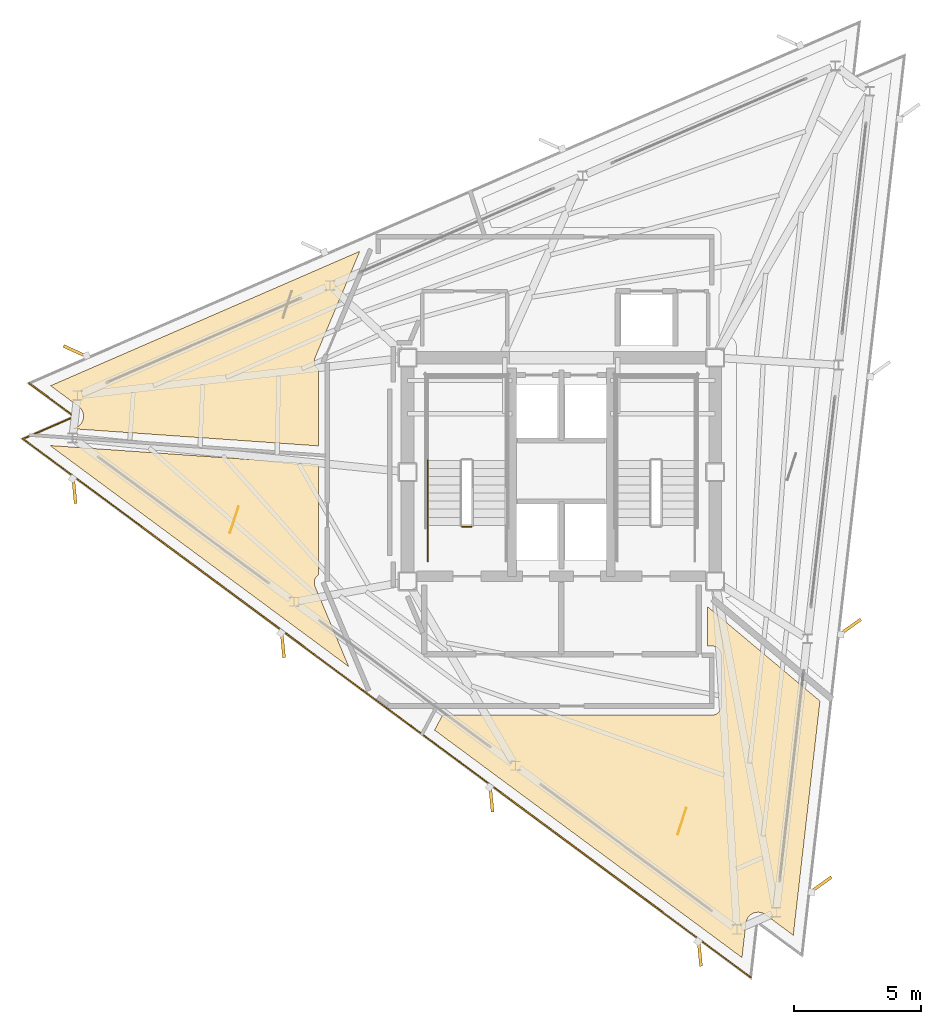
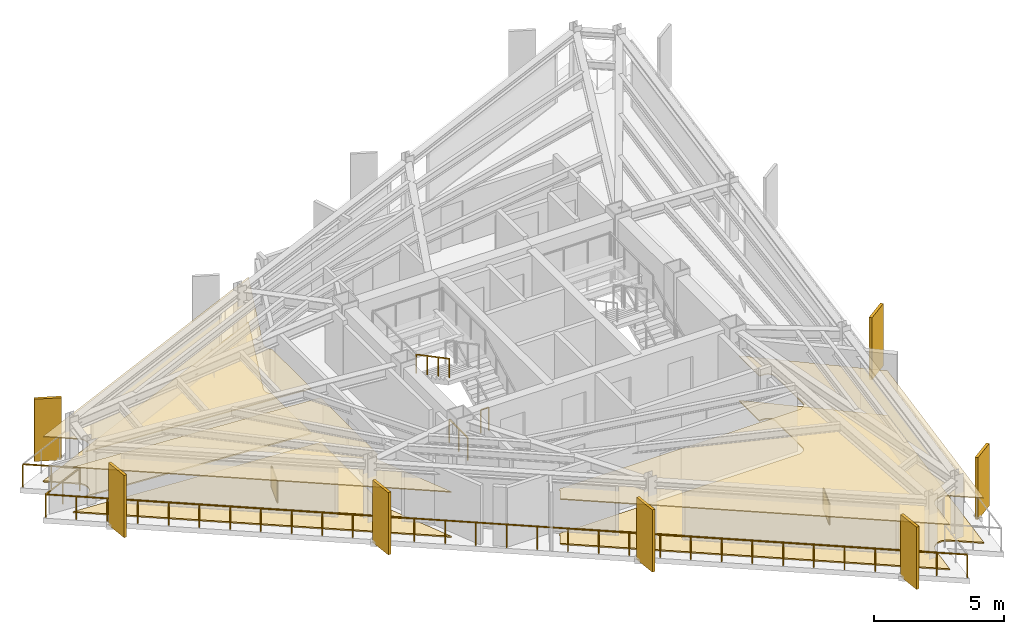
# One storey, part 7 of 9: 8 coverings, 7 shading devices, 4 railings.
"""IFC4 building model written with IfcOpenShell, lengths in metres."""

from ifc_helpers import new_model, si_unit, direction, frame, origin, origin_2d, place, context, subcontext, project, spatial, polyline, rectangle, outline, extrude, material, layer, layer_set, type_object, element, save


model = new_model("IFC4")

# Units and contexts
model_context = context("Model", 3, precision=1e-05, world=origin(), true_north=direction((0.0, 1.0)))
body_context = subcontext(model_context, "Body", "Model", "MODEL_VIEW")
ifc_project = project(units=[si_unit("LENGTHUNIT", "METRE"), si_unit("AREAUNIT", "SQUARE_METRE"), si_unit("VOLUMEUNIT", "CUBIC_METRE"), si_unit("PLANEANGLEUNIT", "RADIAN"), si_unit("MASSUNIT", "GRAM", prefix="KILO")], contexts=[model_context])

# Site, building, storey
site_placement = place(None, origin())
site = spatial("IfcSite", under=ifc_project, at=site_placement, CompositionType="ELEMENT")
building_placement = place(site_placement, origin())
building = spatial("IfcBuilding", under=site, at=building_placement, Name="Rocaltana Carrier Exchange", CompositionType="ELEMENT")
storey_placement = place(building_placement, frame((0.0, 0.0, 233.1201171875)))
storey = spatial("IfcBuildingStorey", under=building, at=storey_placement, Name="L74", CompositionType="ELEMENT", Elevation=233.1201171875)

# Coverings
ifc_material_1 = material(Name="Calcium Sulphate & Aluminium Pedestal", Category="aluminium")
ifc_layer_1 = layer(ifc_material_1, 0.06005859375)
ifc_layer_set_1 = layer_set([ifc_layer_1], Name="Calcium Sulphate & Aluminium Pedestal")
covering_type_1 = type_object("IfcCoveringType", Name="Anti-Static Raised Exchange Access Floor 60", PredefinedType="FLOORING", material=ifc_layer_set_1)
covering_1_placement = place(storey_placement, origin())
element("IfcCovering", 1, at=covering_1_placement, inside=storey, type_object=covering_type_1, Name="L74 Cloud Architecture Office Finish Floor", PredefinedType="FLOORING", context=body_context, shape_type="SweptSolid", body=[
    extrude(outline(polyline([(-20.11572265625, 1.0458984375), (-9.56005859375, 0.3076171875), (-9.56005859375, -4.052001953125), (-9.57177734375, -4.06005859375), (-9.578125, -4.064697265625), (-9.59912109375, -4.082275390625), (-9.60498046875, -4.087646484375), (-9.624267578125, -4.107177734375), (-9.629638671875, -4.113037109375), (-9.64697265625, -4.134521484375), (-9.651611328125, -4.140625), (-9.666748046875, -4.16357421875), (-9.670654296875, -4.17041015625), (-9.68359375, -4.194580078125), (-9.686767578125, -4.201904296875), (-9.697265625, -4.227294921875), (-9.69970703125, -4.234619140625), (-9.70751953125, -4.260986328125), (-9.70947265625, -4.2685546875), (-9.714599609375, -4.295654296875), (-9.7158203125, -4.30322265625), (-9.718505859375, -4.330810546875), (-9.71875, -4.33837890625), (-9.718505859375, -4.365966796875), (-9.71826171875, -4.373779296875), (-9.71533203125, -4.401123046875), (-9.714111328125, -4.408935546875), (-9.70849609375, -4.435791015625), (-9.706787109375, -4.443603515625), (-9.698486328125, -4.4697265625), (-9.69580078125, -4.47705078125), (-9.69091796875, -4.489990234375), (-8.361328125, -7.652099609375), (-20.11572265625, 1.0458984375)])), origin(), (0.0, 0.0, 1.0), 0.059814453125),
])
covering_2_placement = place(storey_placement, origin())
element("IfcCovering", 2, at=covering_2_placement, inside=storey, type_object=covering_type_1, Name="L74 Network Operations Office Finish Floor", PredefinedType="FLOORING", context=body_context, shape_type="SweptSolid", body=[
    extrude(outline(polyline([(5.739990234375, -6.840087890625), (5.739990234375, -5.286376953125), (10.1708984375, -9.00439453125), (9.12109375, -18.21826171875), (8.020751953125, -17.404052734375), (8.009521484375, -17.39599609375), (7.992919921875, -17.385009765625), (7.96875, -17.370849609375), (7.951171875, -17.361572265625), (7.92578125, -17.349609375), (7.907470703125, -17.342041015625), (7.881103515625, -17.332763671875), (7.862060546875, -17.3271484375), (7.8349609375, -17.320556640625), (7.815185546875, -17.31689453125), (7.78759765625, -17.31298828125), (7.767822265625, -17.311279296875), (7.739990234375, -17.310302734375), (7.719970703125, -17.310302734375), (7.692138671875, -17.31201171875), (7.67236328125, -17.314208984375), (7.644775390625, -17.31884765625), (7.625244140625, -17.322998046875), (7.59814453125, -17.330078125), (7.579345703125, -17.336181640625), (7.552978515625, -17.34619140625), (7.534912109375, -17.35400390625), (7.509765625, -17.366455078125), (7.492431640625, -17.376220703125), (7.46875, -17.39111328125), (7.452392578125, -17.40234375), (7.430419921875, -17.41943359375), (7.415283203125, -17.4326171875), (7.39501953125, -17.45166015625), (7.381103515625, -17.466064453125), (7.363037109375, -17.4873046875), (7.3505859375, -17.5029296875), (7.334716796875, -17.52587890625), (7.32421875, -17.542724609375), (7.310302734375, -17.56689453125), (7.301513671875, -17.5849609375), (7.290283203125, -17.6103515625), (7.283203125, -17.629150390625), (7.274658203125, -17.655517578125), (7.26953125, -17.6748046875), (7.263671875, -17.7021484375), (7.26025390625, -17.7216796875), (7.25830078125, -17.735595703125), (7.103515625, -19.095458984375), (-4.988037109375, -10.148193359375), (-4.67529296875, -9.56005859375), (5.919921875, -9.56005859375), (5.93359375, -9.559814453125), (5.941650390625, -9.559326171875), (5.968994140625, -9.556640625), (5.976806640625, -9.555419921875), (6.003662109375, -9.550048828125), (6.01123046875, -9.548095703125), (6.03759765625, -9.540283203125), (6.044921875, -9.53759765625), (6.0703125, -9.527099609375), (6.077392578125, -9.523681640625), (6.101806640625, -9.5107421875), (6.1083984375, -9.506591796875), (6.131103515625, -9.491455078125), (6.137451171875, -9.48681640625), (6.15869140625, -9.46923828125), (6.16455078125, -9.464111328125), (6.18408203125, -9.444580078125), (6.189208984375, -9.438720703125), (6.206787109375, -9.41748046875), (6.21142578125, -9.4111328125), (6.226806640625, -9.388427734375), (6.230712890625, -9.381591796875), (6.24365234375, -9.357421875), (6.2470703125, -9.350341796875), (6.257568359375, -9.324951171875), (6.26025390625, -9.317626953125), (6.268310546875, -9.291259765625), (6.27001953125, -9.28369140625), (6.275390625, -9.256591796875), (6.276611328125, -9.248779296875), (6.279296875, -9.2216796875), (6.27978515625, -9.213623046875), (6.280029296875, -9.199951171875), (6.280029296875, -7.199951171875), (6.27978515625, -7.186279296875), (6.279296875, -7.178466796875), (6.276611328125, -7.151123046875), (6.275390625, -7.143310546875), (6.27001953125, -7.116455078125), (6.268310546875, -7.108642578125), (6.26025390625, -7.08251953125), (6.257568359375, -7.0751953125), (6.2470703125, -7.0498046875), (6.24365234375, -7.04248046875), (6.230712890625, -7.018310546875), (6.226806640625, -7.01171875), (6.21142578125, -6.98876953125), (6.206787109375, -6.982421875), (6.189208984375, -6.961181640625), (6.18408203125, -6.955322265625), (6.16455078125, -6.93603515625), (6.15869140625, -6.9306640625), (6.137451171875, -6.913330078125), (6.131103515625, -6.90869140625), (6.1083984375, -6.893310546875), (6.101806640625, -6.889404296875), (6.077392578125, -6.876220703125), (6.0703125, -6.873046875), (6.044921875, -6.862548828125), (6.03759765625, -6.85986328125), (6.01123046875, -6.851806640625), (6.003662109375, -6.849853515625), (5.976806640625, -6.844482421875), (5.968994140625, -6.843505859375), (5.941650390625, -6.8408203125), (5.93359375, -6.84033203125), (5.919921875, -6.840087890625), (5.739990234375, -6.840087890625)])), origin(), (0.0, 0.0, 1.0), 0.059814453125),
])
covering_3_placement = place(storey_placement, origin())
element("IfcCovering", 3, at=covering_3_placement, inside=storey, type_object=covering_type_1, Name="L74 Optical Switching Laboratory Finish Floor", PredefinedType="FLOORING", context=body_context, shape_type="SweptSolid", body=[
    extrude(outline(polyline([(-19.0830078125, 1.755859375), (-19.0703125, 1.76171875), (-19.052490234375, 1.7705078125), (-19.028076171875, 1.7841796875), (-19.010986328125, 1.794921875), (-18.98828125, 1.810791015625), (-18.972412109375, 1.822998046875), (-18.951416015625, 1.841064453125), (-18.936767578125, 1.85498046875), (-18.91748046875, 1.875), (-18.904541015625, 1.89013671875), (-18.887451171875, 1.912109375), (-18.8759765625, 1.928466796875), (-18.861083984375, 1.9521484375), (-18.851318359375, 1.969482421875), (-18.8388671875, 1.994384765625), (-18.830810546875, 2.0126953125), (-18.82080078125, 2.038818359375), (-18.814697265625, 2.057861328125), (-18.8076171875, 2.084716796875), (-18.80322265625, 2.104248046875), (-18.798828125, 2.1318359375), (-18.79638671875, 2.151611328125), (-18.794677734375, 2.179443359375), (-18.79443359375, 2.199462890625), (-18.79541015625, 2.227294921875), (-18.797119140625, 2.2470703125), (-18.801025390625, 2.27490234375), (-18.8046875, 2.29443359375), (-18.811279296875, 2.321533203125), (-18.81689453125, 2.3408203125), (-18.825927734375, 2.366943359375), (-18.83349609375, 2.385498046875), (-18.84521484375, 2.410888671875), (-18.8544921875, 2.428466796875), (-18.86865234375, 2.452392578125), (-18.879638671875, 2.468994140625), (-18.896240234375, 2.49169921875), (-18.908935546875, 2.507080078125), (-18.927490234375, 2.52783203125), (-18.941650390625, 2.5419921875), (-18.96240234375, 2.560546875), (-18.977783203125, 2.5732421875), (-18.98876953125, 2.581787109375), (-20.089111328125, 3.39599609375), (-7.927490234375, 8.683837890625), (-9.69091796875, 4.489990234375), (-9.69580078125, 4.47705078125), (-9.698486328125, 4.4697265625), (-9.706787109375, 4.443603515625), (-9.70849609375, 4.435791015625), (-9.714111328125, 4.408935546875), (-9.71533203125, 4.401123046875), (-9.71826171875, 4.373779296875), (-9.718505859375, 4.365966796875), (-9.71875, 4.33837890625), (-9.718505859375, 4.330810546875), (-9.7158203125, 4.30322265625), (-9.714599609375, 4.295654296875), (-9.70947265625, 4.2685546875), (-9.70751953125, 4.260986328125), (-9.69970703125, 4.234619140625), (-9.697265625, 4.227294921875), (-9.686767578125, 4.201904296875), (-9.68359375, 4.194580078125), (-9.670654296875, 4.17041015625), (-9.666748046875, 4.16357421875), (-9.651611328125, 4.140625), (-9.64697265625, 4.134521484375), (-9.629638671875, 4.113037109375), (-9.624267578125, 4.107177734375), (-9.60498046875, 4.087646484375), (-9.59912109375, 4.082275390625), (-9.578125, 4.064697265625), (-9.57177734375, 4.06005859375), (-9.56005859375, 4.052001953125), (-9.56005859375, 1.029296875), (-19.202880859375, 1.70361328125), (-19.0830078125, 1.755859375)])), origin(), (0.0, 0.0, 1.0), 0.059814453125),
])
ifc_material_2 = material(Name="Mineral Fibre & Powder-Coated Aluminium", Category="aluminium")
ifc_layer_2 = layer(ifc_material_2, 0.044921875)
ifc_layer_set_2 = layer_set([ifc_layer_2], Name="Mineral Fibre & Powder-Coated Aluminium")
covering_type_2 = type_object("IfcCoveringType", Name="Micro-Perforated Acoustic Ceiling 45", PredefinedType="CEILING", material=ifc_layer_set_2)
covering_4_placement = place(storey_placement, frame((0.0, 0.0, 2.102783203125)))
element("IfcCovering", 4, at=covering_4_placement, inside=storey, type_object=covering_type_2, Name="L74 Cloud Architecture Office Acoustic Ceiling", PredefinedType="CEILING", context=body_context, shape_type="SweptSolid", body=[
    extrude(outline(polyline([(-20.11572265625, 1.0458984375), (-9.56005859375, 0.3076171875), (-9.56005859375, -4.052001953125), (-9.57177734375, -4.06005859375), (-9.578125, -4.064697265625), (-9.59912109375, -4.082275390625), (-9.60498046875, -4.087646484375), (-9.624267578125, -4.107177734375), (-9.629638671875, -4.113037109375), (-9.64697265625, -4.134521484375), (-9.651611328125, -4.140625), (-9.666748046875, -4.16357421875), (-9.670654296875, -4.17041015625), (-9.68359375, -4.194580078125), (-9.686767578125, -4.201904296875), (-9.697265625, -4.227294921875), (-9.69970703125, -4.234619140625), (-9.70751953125, -4.260986328125), (-9.70947265625, -4.2685546875), (-9.714599609375, -4.295654296875), (-9.7158203125, -4.30322265625), (-9.718505859375, -4.330810546875), (-9.71875, -4.33837890625), (-9.718505859375, -4.365966796875), (-9.71826171875, -4.373779296875), (-9.71533203125, -4.401123046875), (-9.714111328125, -4.408935546875), (-9.70849609375, -4.435791015625), (-9.706787109375, -4.443603515625), (-9.698486328125, -4.4697265625), (-9.69580078125, -4.47705078125), (-9.69091796875, -4.489990234375), (-8.361328125, -7.652099609375), (-20.11572265625, 1.0458984375)])), origin(), (0.0, 0.0, 1.0), 0.045166015625),
])
covering_5_placement = place(storey_placement, frame((0.0, 0.0, 2.102783203125)))
element("IfcCovering", 5, at=covering_5_placement, inside=storey, type_object=covering_type_2, Name="L74 Network Operations Office Acoustic Ceiling", PredefinedType="CEILING", context=body_context, shape_type="SweptSolid", body=[
    extrude(outline(polyline([(5.739990234375, -6.840087890625), (5.739990234375, -5.286376953125), (10.1708984375, -9.00439453125), (9.12109375, -18.21826171875), (8.020751953125, -17.404052734375), (8.009521484375, -17.39599609375), (7.992919921875, -17.385009765625), (7.96875, -17.370849609375), (7.951171875, -17.361572265625), (7.92578125, -17.349609375), (7.907470703125, -17.342041015625), (7.881103515625, -17.332763671875), (7.862060546875, -17.3271484375), (7.8349609375, -17.320556640625), (7.815185546875, -17.31689453125), (7.78759765625, -17.31298828125), (7.767822265625, -17.311279296875), (7.739990234375, -17.310302734375), (7.719970703125, -17.310302734375), (7.692138671875, -17.31201171875), (7.67236328125, -17.314208984375), (7.644775390625, -17.31884765625), (7.625244140625, -17.322998046875), (7.59814453125, -17.330078125), (7.579345703125, -17.336181640625), (7.552978515625, -17.34619140625), (7.534912109375, -17.35400390625), (7.509765625, -17.366455078125), (7.492431640625, -17.376220703125), (7.46875, -17.39111328125), (7.452392578125, -17.40234375), (7.430419921875, -17.41943359375), (7.415283203125, -17.4326171875), (7.39501953125, -17.45166015625), (7.381103515625, -17.466064453125), (7.363037109375, -17.4873046875), (7.3505859375, -17.5029296875), (7.334716796875, -17.52587890625), (7.32421875, -17.542724609375), (7.310302734375, -17.56689453125), (7.301513671875, -17.5849609375), (7.290283203125, -17.6103515625), (7.283203125, -17.629150390625), (7.274658203125, -17.655517578125), (7.26953125, -17.6748046875), (7.263671875, -17.7021484375), (7.26025390625, -17.7216796875), (7.25830078125, -17.735595703125), (7.103515625, -19.095458984375), (-4.988037109375, -10.148193359375), (-4.67529296875, -9.56005859375), (5.919921875, -9.56005859375), (5.93359375, -9.559814453125), (5.941650390625, -9.559326171875), (5.968994140625, -9.556640625), (5.976806640625, -9.555419921875), (6.003662109375, -9.550048828125), (6.01123046875, -9.548095703125), (6.03759765625, -9.540283203125), (6.044921875, -9.53759765625), (6.0703125, -9.527099609375), (6.077392578125, -9.523681640625), (6.101806640625, -9.5107421875), (6.1083984375, -9.506591796875), (6.131103515625, -9.491455078125), (6.137451171875, -9.48681640625), (6.15869140625, -9.46923828125), (6.16455078125, -9.464111328125), (6.18408203125, -9.444580078125), (6.189208984375, -9.438720703125), (6.206787109375, -9.41748046875), (6.21142578125, -9.4111328125), (6.226806640625, -9.388427734375), (6.230712890625, -9.381591796875), (6.24365234375, -9.357421875), (6.2470703125, -9.350341796875), (6.257568359375, -9.324951171875), (6.26025390625, -9.317626953125), (6.268310546875, -9.291259765625), (6.27001953125, -9.28369140625), (6.275390625, -9.256591796875), (6.276611328125, -9.248779296875), (6.279296875, -9.2216796875), (6.27978515625, -9.213623046875), (6.280029296875, -9.199951171875), (6.280029296875, -7.199951171875), (6.27978515625, -7.186279296875), (6.279296875, -7.178466796875), (6.276611328125, -7.151123046875), (6.275390625, -7.143310546875), (6.27001953125, -7.116455078125), (6.268310546875, -7.108642578125), (6.26025390625, -7.08251953125), (6.257568359375, -7.0751953125), (6.2470703125, -7.0498046875), (6.24365234375, -7.04248046875), (6.230712890625, -7.018310546875), (6.226806640625, -7.01171875), (6.21142578125, -6.98876953125), (6.206787109375, -6.982421875), (6.189208984375, -6.961181640625), (6.18408203125, -6.955322265625), (6.16455078125, -6.93603515625), (6.15869140625, -6.9306640625), (6.137451171875, -6.913330078125), (6.131103515625, -6.90869140625), (6.1083984375, -6.893310546875), (6.101806640625, -6.889404296875), (6.077392578125, -6.876220703125), (6.0703125, -6.873046875), (6.044921875, -6.862548828125), (6.03759765625, -6.85986328125), (6.01123046875, -6.851806640625), (6.003662109375, -6.849853515625), (5.976806640625, -6.844482421875), (5.968994140625, -6.843505859375), (5.941650390625, -6.8408203125), (5.93359375, -6.84033203125), (5.919921875, -6.840087890625), (5.739990234375, -6.840087890625)])), origin(), (0.0, 0.0, 1.0), 0.045166015625),
])
covering_6_placement = place(storey_placement, frame((0.0, 0.0, 2.102783203125)))
element("IfcCovering", 6, at=covering_6_placement, inside=storey, type_object=covering_type_2, Name="L74 Optical Switching Laboratory Acoustic Ceiling", PredefinedType="CEILING", context=body_context, shape_type="SweptSolid", body=[
    extrude(outline(polyline([(-19.0830078125, 1.755859375), (-19.0703125, 1.76171875), (-19.052490234375, 1.7705078125), (-19.028076171875, 1.7841796875), (-19.010986328125, 1.794921875), (-18.98828125, 1.810791015625), (-18.972412109375, 1.822998046875), (-18.951416015625, 1.841064453125), (-18.936767578125, 1.85498046875), (-18.91748046875, 1.875), (-18.904541015625, 1.89013671875), (-18.887451171875, 1.912109375), (-18.8759765625, 1.928466796875), (-18.861083984375, 1.9521484375), (-18.851318359375, 1.969482421875), (-18.8388671875, 1.994384765625), (-18.830810546875, 2.0126953125), (-18.82080078125, 2.038818359375), (-18.814697265625, 2.057861328125), (-18.8076171875, 2.084716796875), (-18.80322265625, 2.104248046875), (-18.798828125, 2.1318359375), (-18.79638671875, 2.151611328125), (-18.794677734375, 2.179443359375), (-18.79443359375, 2.199462890625), (-18.79541015625, 2.227294921875), (-18.797119140625, 2.2470703125), (-18.801025390625, 2.27490234375), (-18.8046875, 2.29443359375), (-18.811279296875, 2.321533203125), (-18.81689453125, 2.3408203125), (-18.825927734375, 2.366943359375), (-18.83349609375, 2.385498046875), (-18.84521484375, 2.410888671875), (-18.8544921875, 2.428466796875), (-18.86865234375, 2.452392578125), (-18.879638671875, 2.468994140625), (-18.896240234375, 2.49169921875), (-18.908935546875, 2.507080078125), (-18.927490234375, 2.52783203125), (-18.941650390625, 2.5419921875), (-18.96240234375, 2.560546875), (-18.977783203125, 2.5732421875), (-18.98876953125, 2.581787109375), (-20.089111328125, 3.39599609375), (-7.927490234375, 8.683837890625), (-9.69091796875, 4.489990234375), (-9.69580078125, 4.47705078125), (-9.698486328125, 4.4697265625), (-9.706787109375, 4.443603515625), (-9.70849609375, 4.435791015625), (-9.714111328125, 4.408935546875), (-9.71533203125, 4.401123046875), (-9.71826171875, 4.373779296875), (-9.718505859375, 4.365966796875), (-9.71875, 4.33837890625), (-9.718505859375, 4.330810546875), (-9.7158203125, 4.30322265625), (-9.714599609375, 4.295654296875), (-9.70947265625, 4.2685546875), (-9.70751953125, 4.260986328125), (-9.69970703125, 4.234619140625), (-9.697265625, 4.227294921875), (-9.686767578125, 4.201904296875), (-9.68359375, 4.194580078125), (-9.670654296875, 4.17041015625), (-9.666748046875, 4.16357421875), (-9.651611328125, 4.140625), (-9.64697265625, 4.134521484375), (-9.629638671875, 4.113037109375), (-9.624267578125, 4.107177734375), (-9.60498046875, 4.087646484375), (-9.59912109375, 4.082275390625), (-9.578125, 4.064697265625), (-9.57177734375, 4.06005859375), (-9.56005859375, 4.052001953125), (-9.56005859375, 1.029296875), (-19.202880859375, 1.70361328125), (-19.0830078125, 1.755859375)])), origin(), (0.0, 0.0, 1.0), 0.045166015625),
])

# Railings
ifc_material_3 = material(Name="Brushed Architectural Stainless Tube", Category="steel")
ifc_layer_3 = layer(ifc_material_3, 0.048095703125)
ifc_layer_set_3 = layer_set([ifc_layer_3], Name="Brushed Architectural Stainless Tube")
railing_type_1 = type_object("IfcRailingType", Name="Stair Wall Handrail 920", PredefinedType="HANDRAIL", material=ifc_layer_set_3)
railing_1_placement = place(storey_placement, frame((-5.25, 0.4599609375, 1.688720703125)))
element("IfcRailing", 7, at=railing_1_placement, inside=storey, type_object=railing_type_1, Name="L74 ST-1 stair handrail 2", PredefinedType="HANDRAIL", context=body_context, shape_type="SweptSolid", body=[
    extrude(rectangle(XDim=0.048095703125, YDim=0.048095703125, at=origin_2d()), frame((0.0, 0.0, 0.8759765625), z_axis=(0.0, -0.884394423565, 0.466740295633), x_axis=(1.0, 0.0, 0.0)), (0.0, 0.0, 1.0), 2.894775390625),
    extrude(rectangle(XDim=0.0419921875, YDim=0.0419921875, at=origin_2d()), origin(), (0.0, 0.0, 1.0), 0.851806640625),
    extrude(rectangle(XDim=0.0419921875, YDim=0.0419921875, at=origin_2d()), frame((0.0, -0.853271484375, 0.450439453125)), (0.0, 0.0, 1.0), 0.851806640625),
    extrude(rectangle(XDim=0.0419921875, YDim=0.0419921875, at=origin_2d()), frame((0.0, -1.706787109375, 0.900634765625)), (0.0, 0.0, 1.0), 0.851806640625),
    extrude(rectangle(XDim=0.0419921875, YDim=0.0419921875, at=origin_2d()), frame((0.0, -2.56005859375, 1.35107421875)), (0.0, 0.0, 1.0), 0.851806640625),
])
ifc_material_4 = material(Name="Powder-Coated Aluminium 6063-T6", Category="aluminium")
ifc_layer_4 = layer(ifc_material_4, 0.048095703125)
ifc_layer_set_4 = layer_set([ifc_layer_4], Name="Powder-Coated Aluminium 6063-T6")
railing_type_2 = type_object("IfcRailingType", Name="Stair Well Guardrail 1100", PredefinedType="GUARDRAIL", material=ifc_layer_set_4)
railing_2_placement = place(storey_placement, frame((-3.5400390625, -2.14990234375, 0.0)))
element("IfcRailing", 8, at=railing_2_placement, inside=storey, type_object=railing_type_2, Name="L74 ST-1 stair guard 7", PredefinedType="GUARDRAIL", context=body_context, shape_type="SweptSolid", body=[
    extrude(rectangle(XDim=0.048095703125, YDim=0.048095703125, at=origin_2d()), frame((0.0, 0.0, 1.076171875), z_axis=(-1.0, 0.0, 0.0), x_axis=(0.0, -1.0, 0.0)), (0.0, 0.0, 1.0), 0.35986328125),
    extrude(rectangle(XDim=0.0419921875, YDim=0.0419921875, at=origin_2d()), origin(), (0.0, 0.0, 1.0), 1.052001953125),
    extrude(rectangle(XDim=0.0419921875, YDim=0.0419921875, at=origin_2d()), frame((-0.35986328125, 0.0, 0.0)), (0.0, 0.0, 1.0), 1.052001953125),
])
railing_3_placement = place(storey_placement, frame((-5.25, -3.5, 0.0)))
element("IfcRailing", 9, at=railing_3_placement, inside=storey, type_object=railing_type_2, Name="L74 ST-1 stair guard 9", PredefinedType="GUARDRAIL", context=body_context, shape_type="SweptSolid", body=[
    extrude(rectangle(XDim=0.048095703125, YDim=0.048095703125, at=origin_2d()), frame((0.0, 0.0, 1.076171875), z_axis=(0.0, 1.0, 0.0), x_axis=(-1.0, 0.0, 0.0)), (0.0, 0.0, 1.0), 1.39990234375),
    extrude(rectangle(XDim=0.0419921875, YDim=0.0419921875, at=origin_2d()), origin(), (0.0, 0.0, 1.0), 1.052001953125),
    extrude(rectangle(XDim=0.0419921875, YDim=0.0419921875, at=origin_2d()), frame((0.0, 0.699951171875, 0.0)), (0.0, 0.0, 1.0), 1.052001953125),
    extrude(rectangle(XDim=0.0419921875, YDim=0.0419921875, at=origin_2d()), frame((0.0, 1.39990234375, 0.0)), (0.0, 0.0, 1.0), 1.052001953125),
])

# Coverings
ifc_material_5 = material(Name="Honed Piedra Muneca Sandstone", Category="masonry")
ifc_layer_5 = layer(ifc_material_5, 0.034912109375)
ifc_layer_set_5 = layer_set([ifc_layer_5], Name="Honed Piedra Muneca Sandstone")
covering_type_3 = type_object("IfcCoveringType", Name="Stone Facade Cladding 35", PredefinedType="CLADDING", material=ifc_layer_set_5)
for number, where, z_axis, x_axis, name in (
    (10, (-12.8662109375, -1.872314453125, 0.0), (0.0, 0.0, 1.0), (0.309016994375, 0.951056516295, 0.0), "L74 Stone Facade Cladding Panel 1"),
    (11, (4.741943359375, -13.729248046875, 0.0), (0.0, 0.0, 1.0), (0.309016994375, 0.951056516295, 0.0), "L74 Stone Facade Cladding Panel 2"),
):
    element("IfcCovering", number, at=place(storey_placement, frame(where, z_axis=z_axis, x_axis=x_axis)), inside=storey, type_object=covering_type_3, Name=name, PredefinedType="CLADDING", context=body_context, shape_type="SweptSolid", body=[
        extrude(rectangle(XDim=1.10009765625, YDim=0.034912109375, at=origin_2d()), origin(), (0.0, 0.0, 1.0), 1.050048828125),
    ])

# Shading devices
ifc_material_6 = material(Name="Honed Bogota Sandstone & Concrete C45/55", Category="masonry")
ifc_layer_6 = layer(ifc_material_6, 0.1201171875)
ifc_layer_set_6 = layer_set([ifc_layer_6], Name="Honed Bogota Sandstone & Concrete C45/55")
shading_device_type = type_object("IfcShadingDeviceType", Name="Upper Sandstone Shading Fin 1050x120", PredefinedType="USERDEFINED", material=ifc_layer_set_6)
for number, where, z_axis, x_axis, name in (
    (12, (10.193115234375, -16.233642578125, -0.1201171875), (0.0, 0.0, 1.0), (0.814115518356, 0.580702955711, 0.0), "L74 Sandstone Vertical Fin F1-01"),
    (13, (11.34765625, -6.099365234375, -0.1201171875), (0.0, 0.0, 1.0), (0.814115518356, 0.580702955711, 0.0), "L74 Sandstone Vertical Fin F1-02"),
    (14, (-19.099609375, 4.742431640625, -0.1201171875), (0.0, 0.0, 1.0), (-0.909961270877, 0.414693242656, 0.0), "L74 Sandstone Vertical Fin F2-04"),
    (15, (-19.1552734375, -0.71044921875, -0.1201171875), (0.0, 0.0, 1.0), (0.09584575252, -0.995396198367, 0.0), "L74 Sandstone Vertical Fin F3-01"),
    (16, (-10.955810546875, -6.777587890625, -0.1201171875), (0.0, 0.0, 1.0), (0.09584575252, -0.995396198367, 0.0), "L74 Sandstone Vertical Fin F3-02"),
    (17, (-2.756591796875, -12.844970703125, -0.1201171875), (0.0, 0.0, 1.0), (0.09584575252, -0.995396198367, 0.0), "L74 Sandstone Vertical Fin F3-03"),
    (18, (5.442626953125, -18.912109375, -0.1201171875), (0.0, 0.0, 1.0), (0.09584575252, -0.995396198367, 0.0), "L74 Sandstone Vertical Fin F3-04"),
):
    element("IfcShadingDevice", number, at=place(storey_placement, frame(where, z_axis=z_axis, x_axis=x_axis)), inside=storey, type_object=shading_device_type, Name=name, ObjectType="FIN", PredefinedType="USERDEFINED", context=body_context, shape_type="SweptSolid", body=[
        extrude(rectangle(XDim=1.050048828125, YDim=0.1201171875, at=origin_2d()), origin(), (0.0, 0.0, 1.0), 2.91796875),
    ])

# Railing
ifc_material_7 = material(Name="Powder-Coated Aluminium 6063-T6", Category="aluminium")
ifc_layer_7 = layer(ifc_material_7, 0.06005859375)
ifc_layer_set_7 = layer_set([ifc_layer_7], Name="Powder-Coated Aluminium 6063-T6")
railing_type_3 = type_object("IfcRailingType", Name="Wind-Floor & Terrace Perimeter Guardrail 1100", PredefinedType="GUARDRAIL", material=ifc_layer_set_7)
railing_4_placement = place(storey_placement, frame((7.4384765625, -19.865966796875, 0.0)))
element("IfcRailing", 19, at=railing_4_placement, inside=storey, type_object=railing_type_3, Name="L74 Perimeter Balcony Guardrail 1", PredefinedType="GUARDRAIL", context=body_context, shape_type="SweptSolid", body=[
    extrude(rectangle(XDim=0.048095703125, YDim=0.048095703125, at=origin_2d()), frame((0.0, 0.0, 1.076171875), z_axis=(-0.803856133623, 0.594823769226, 0.0), x_axis=(-0.594823769226, -0.803856133623, 0.0)), (0.0, 0.0, 1.0), 35.59228515625),
    extrude(rectangle(XDim=0.048095703125, YDim=0.048095703125, at=origin_2d()), frame((-28.611083984375, 21.171142578125, 1.076171875), z_axis=(0.917071820503, 0.398722053614, 0.0), x_axis=(-0.398722053614, 0.917071820503, 0.0)), (0.0, 0.0, 1.0), 2.199951171875),
    extrude(rectangle(XDim=0.048095703125, YDim=0.048095703125, at=origin_2d()), frame((-26.593505859375, 22.04833984375, 1.076171875), z_axis=(-0.803871612758, 0.59480284986, 0.0), x_axis=(-0.59480284986, -0.803871612758, 0.0)), (0.0, 0.0, 1.0), 2.199951171875),
    extrude(rectangle(XDim=0.0419921875, YDim=0.0419921875, at=origin_2d()), origin(), (0.0, 0.0, 1.0), 1.052001953125),
    extrude(rectangle(XDim=0.0419921875, YDim=0.0419921875, at=origin_2d()), frame((-0.95361328125, 0.705810546875, 0.0)), (0.0, 0.0, 1.0), 1.052001953125),
    extrude(rectangle(XDim=0.0419921875, YDim=0.0419921875, at=origin_2d()), frame((-1.907470703125, 1.411376953125, 0.0)), (0.0, 0.0, 1.0), 1.052001953125),
    extrude(rectangle(XDim=0.0419921875, YDim=0.0419921875, at=origin_2d()), frame((-2.861083984375, 2.1171875, 0.0)), (0.0, 0.0, 1.0), 1.052001953125),
    extrude(rectangle(XDim=0.0419921875, YDim=0.0419921875, at=origin_2d()), frame((-3.814697265625, 2.82275390625, 0.0)), (0.0, 0.0, 1.0), 1.052001953125),
    extrude(rectangle(XDim=0.0419921875, YDim=0.0419921875, at=origin_2d()), frame((-4.7685546875, 3.528564453125, 0.0)), (0.0, 0.0, 1.0), 1.052001953125),
    extrude(rectangle(XDim=0.0419921875, YDim=0.0419921875, at=origin_2d()), frame((-5.72216796875, 4.234130859375, 0.0)), (0.0, 0.0, 1.0), 1.052001953125),
    extrude(rectangle(XDim=0.0419921875, YDim=0.0419921875, at=origin_2d()), frame((-6.676025390625, 4.93994140625, 0.0)), (0.0, 0.0, 1.0), 1.052001953125),
    extrude(rectangle(XDim=0.0419921875, YDim=0.0419921875, at=origin_2d()), frame((-7.629638671875, 5.645751953125, 0.0)), (0.0, 0.0, 1.0), 1.052001953125),
    extrude(rectangle(XDim=0.0419921875, YDim=0.0419921875, at=origin_2d()), frame((-8.583251953125, 6.351318359375, 0.0)), (0.0, 0.0, 1.0), 1.052001953125),
    extrude(rectangle(XDim=0.0419921875, YDim=0.0419921875, at=origin_2d()), frame((-9.537109375, 7.05712890625, 0.0)), (0.0, 0.0, 1.0), 1.052001953125),
    extrude(rectangle(XDim=0.0419921875, YDim=0.0419921875, at=origin_2d()), frame((-10.49072265625, 7.7626953125, 0.0)), (0.0, 0.0, 1.0), 1.052001953125),
    extrude(rectangle(XDim=0.0419921875, YDim=0.0419921875, at=origin_2d()), frame((-11.4443359375, 8.468505859375, 0.0)), (0.0, 0.0, 1.0), 1.052001953125),
    extrude(rectangle(XDim=0.0419921875, YDim=0.0419921875, at=origin_2d()), frame((-12.398193359375, 9.174072265625, 0.0)), (0.0, 0.0, 1.0), 1.052001953125),
    extrude(rectangle(XDim=0.0419921875, YDim=0.0419921875, at=origin_2d()), frame((-13.351806640625, 9.8798828125, 0.0)), (0.0, 0.0, 1.0), 1.052001953125),
    extrude(rectangle(XDim=0.0419921875, YDim=0.0419921875, at=origin_2d()), frame((-14.3056640625, 10.58544921875, 0.0)), (0.0, 0.0, 1.0), 1.052001953125),
    extrude(rectangle(XDim=0.0419921875, YDim=0.0419921875, at=origin_2d()), frame((-15.25927734375, 11.291259765625, 0.0)), (0.0, 0.0, 1.0), 1.052001953125),
    extrude(rectangle(XDim=0.0419921875, YDim=0.0419921875, at=origin_2d()), frame((-16.212890625, 11.9970703125, 0.0)), (0.0, 0.0, 1.0), 1.052001953125),
    extrude(rectangle(XDim=0.0419921875, YDim=0.0419921875, at=origin_2d()), frame((-17.166748046875, 12.70263671875, 0.0)), (0.0, 0.0, 1.0), 1.052001953125),
    extrude(rectangle(XDim=0.0419921875, YDim=0.0419921875, at=origin_2d()), frame((-18.120361328125, 13.408447265625, 0.0)), (0.0, 0.0, 1.0), 1.052001953125),
    extrude(rectangle(XDim=0.0419921875, YDim=0.0419921875, at=origin_2d()), frame((-19.073974609375, 14.114013671875, 0.0)), (0.0, 0.0, 1.0), 1.052001953125),
    extrude(rectangle(XDim=0.0419921875, YDim=0.0419921875, at=origin_2d()), frame((-20.02783203125, 14.81982421875, 0.0)), (0.0, 0.0, 1.0), 1.052001953125),
    extrude(rectangle(XDim=0.0419921875, YDim=0.0419921875, at=origin_2d()), frame((-20.9814453125, 15.525390625, 0.0)), (0.0, 0.0, 1.0), 1.052001953125),
    extrude(rectangle(XDim=0.0419921875, YDim=0.0419921875, at=origin_2d()), frame((-21.93505859375, 16.231201171875, 0.0)), (0.0, 0.0, 1.0), 1.052001953125),
    extrude(rectangle(XDim=0.0419921875, YDim=0.0419921875, at=origin_2d()), frame((-22.888916015625, 16.93701171875, 0.0)), (0.0, 0.0, 1.0), 1.052001953125),
    extrude(rectangle(XDim=0.0419921875, YDim=0.0419921875, at=origin_2d()), frame((-23.842529296875, 17.642578125, 0.0)), (0.0, 0.0, 1.0), 1.052001953125),
    extrude(rectangle(XDim=0.0419921875, YDim=0.0419921875, at=origin_2d()), frame((-24.79638671875, 18.348388671875, 0.0)), (0.0, 0.0, 1.0), 1.052001953125),
    extrude(rectangle(XDim=0.0419921875, YDim=0.0419921875, at=origin_2d()), frame((-25.75, 19.053955078125, 0.0)), (0.0, 0.0, 1.0), 1.052001953125),
    extrude(rectangle(XDim=0.0419921875, YDim=0.0419921875, at=origin_2d()), frame((-26.70361328125, 19.759765625, 0.0)), (0.0, 0.0, 1.0), 1.052001953125),
    extrude(rectangle(XDim=0.0419921875, YDim=0.0419921875, at=origin_2d()), frame((-27.657470703125, 20.46533203125, 0.0)), (0.0, 0.0, 1.0), 1.052001953125),
    extrude(rectangle(XDim=0.0419921875, YDim=0.0419921875, at=origin_2d()), frame((-28.611083984375, 21.171142578125, 0.0)), (0.0, 0.0, 1.0), 1.052001953125),
    extrude(rectangle(XDim=0.0419921875, YDim=0.0419921875, at=origin_2d()), frame((-27.602294921875, 21.60986328125, 0.0)), (0.0, 0.0, 1.0), 1.052001953125),
    extrude(rectangle(XDim=0.0419921875, YDim=0.0419921875, at=origin_2d()), frame((-26.593505859375, 22.04833984375, 0.0)), (0.0, 0.0, 1.0), 1.052001953125),
    extrude(rectangle(XDim=0.0419921875, YDim=0.0419921875, at=origin_2d()), frame((-27.477783203125, 22.70263671875, 0.0)), (0.0, 0.0, 1.0), 1.052001953125),
    extrude(rectangle(XDim=0.0419921875, YDim=0.0419921875, at=origin_2d()), frame((-28.362060546875, 23.35693359375, 0.0)), (0.0, 0.0, 1.0), 1.052001953125),
])

save(model, "model.ifc")
